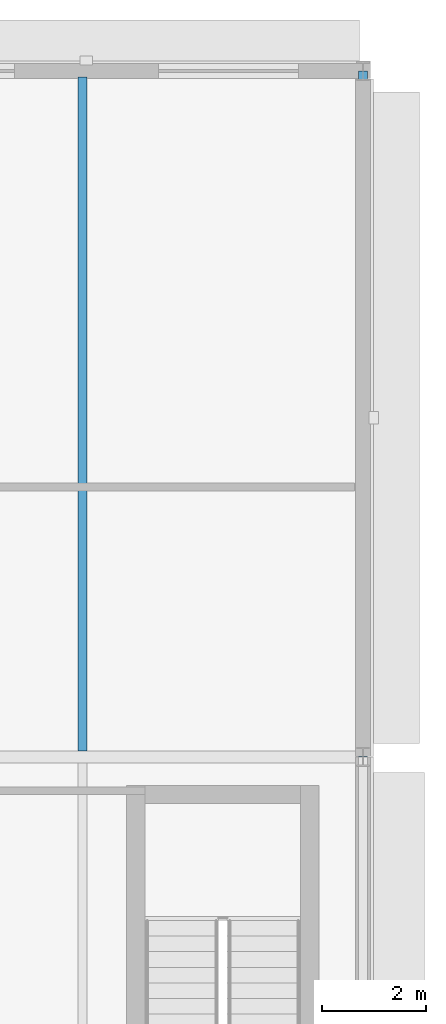
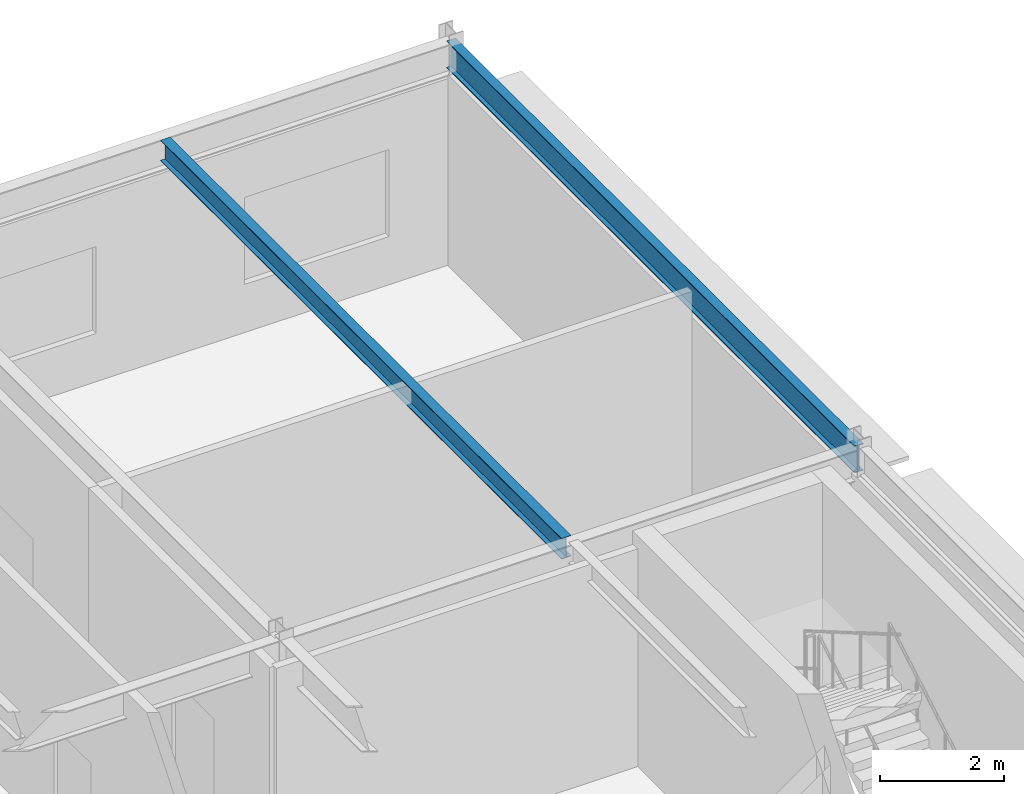
# One storey, part 9 of 17: 2 beams.
"""IFC4 building model written with IfcOpenShell, lengths in metres."""

from ifc_helpers import new_model, si_unit, direction, frame, origin, origin_2d, place, context, subcontext, project, spatial, i_section, extrude, material, material_profile, profile_set, type_object, element, save


model = new_model("IFC4")

# Units and contexts
model_context = context("Model", 3, precision=1e-05, world=origin(), true_north=direction((0.0, 1.0)))
body_context = subcontext(model_context, "Body", "Model", "MODEL_VIEW")
ifc_project = project(units=[si_unit("LENGTHUNIT", "METRE"), si_unit("AREAUNIT", "SQUARE_METRE"), si_unit("VOLUMEUNIT", "CUBIC_METRE"), si_unit("PLANEANGLEUNIT", "RADIAN"), si_unit("MASSUNIT", "GRAM", prefix="KILO")], contexts=[model_context])

# Site, building, storey
site_placement = place(None, origin())
site = spatial("IfcSite", under=ifc_project, at=site_placement, CompositionType="ELEMENT")
building_placement = place(site_placement, origin())
building = spatial("IfcBuilding", under=site, at=building_placement, Name="Almandine Court Research Institute", CompositionType="ELEMENT")
storey_placement = place(building_placement, frame((0.0, 0.0, 32.550048828125)))
storey = spatial("IfcBuildingStorey", under=building, at=storey_placement, Name="L07", CompositionType="ELEMENT", Elevation=32.550048828125)

# Beams
ifc_material = material(Name="Steel ASTM A992 Grade 50", Category="steel")
ifc_material_profile_1 = material_profile(ifc_material, i_section(OverallWidth=0.178955078125, OverallDepth=0.409912109375, WebThickness=0.009033203125, FlangeThickness=0.013916015625, at=origin_2d()), Name="W410x67")
ifc_profile_set_1 = profile_set([ifc_material_profile_1], Name="Steel ASTM A992 Grade 50")
beam_type_1 = type_object("IfcBeamType", Name="Beam-B-02", PredefinedType="JOIST", material=ifc_profile_set_1)
beam_1_placement = place(storey_placement, frame((168.60009765625, 57.712890625, 4.117919921875), z_axis=(0.0, 1.0, 0.0), x_axis=(-1.0, 0.0, 0.0)))
element("IfcBeam", 1, at=beam_1_placement, inside=storey, type_object=beam_type_1, Name="L07 V4 Composite Secondary Beam", PredefinedType="JOIST", context=body_context, shape_type="SweptSolid", body=[
    extrude(i_section(OverallWidth=0.178955078125, OverallDepth=0.409912109375, WebThickness=0.009033203125, FlangeThickness=0.013916015625, at=origin_2d()), origin(), (0.0, 0.0, 1.0), 12.97412109375),
])
ifc_material_profile_2 = material_profile(ifc_material, i_section(OverallWidth=0.166015625, OverallDepth=0.534912109375, WebThickness=0.010009765625, FlangeThickness=0.01708984375, at=origin_2d()), Name="W530x85")
ifc_profile_set_2 = profile_set([ifc_material_profile_2], Name="Steel ASTM A992 Grade 50")
beam_type_2 = type_object("IfcBeamType", Name="Beam-G-05-E", PredefinedType="SPANDREL", material=ifc_profile_set_2)
beam_2_placement = place(storey_placement, frame((174.0, 57.60009765625, 4.054931640625), z_axis=(0.0, 1.0, 0.0), x_axis=(-1.0, 0.0, 0.0)))
element("IfcBeam", 2, at=beam_2_placement, inside=storey, type_object=beam_type_2, Name="L07 V4 Primary Y Girder", PredefinedType="SPANDREL", context=body_context, shape_type="SweptSolid", body=[
    extrude(i_section(OverallWidth=0.166015625, OverallDepth=0.534912109375, WebThickness=0.010009765625, FlangeThickness=0.01708984375, at=origin_2d()), origin(), (0.0, 0.0, 1.0), 13.199951171875),
])

save(model, "model.ifc")
